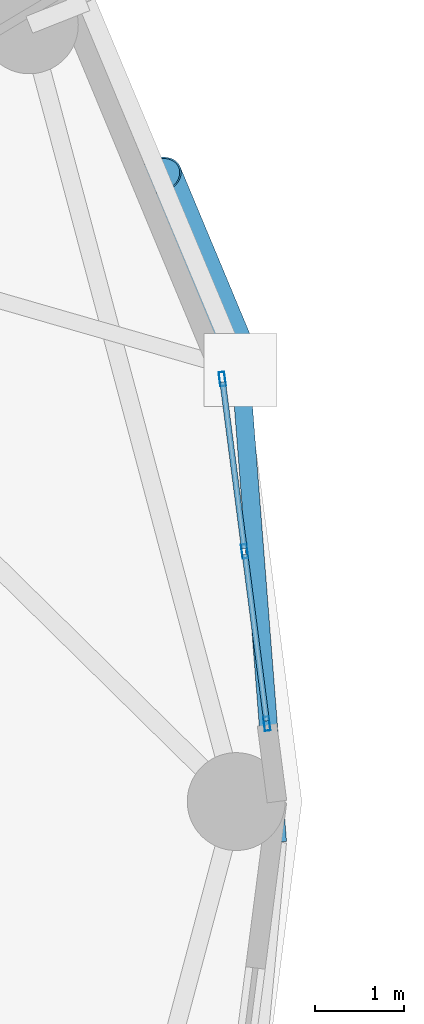
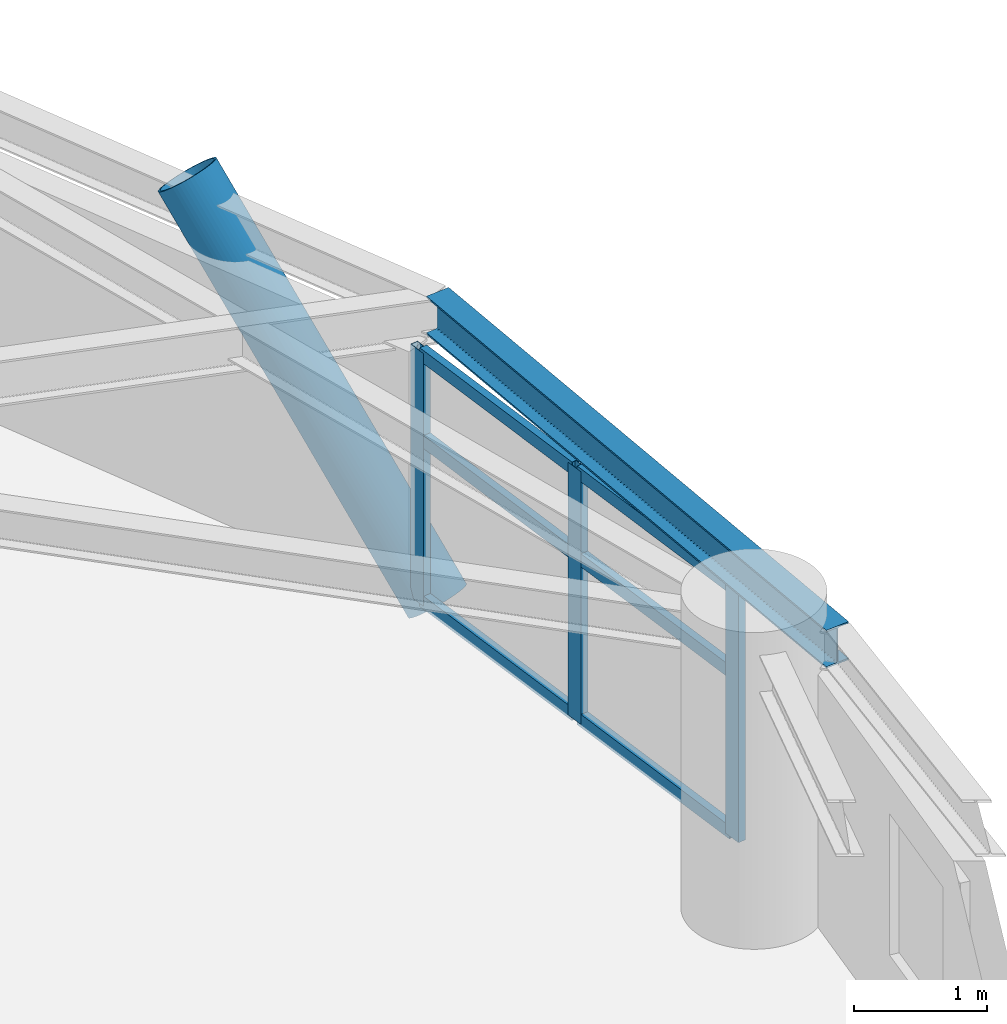
# One storey, part 3 of 14: 10 members, 1 beam, 1 element without a shape of its own.
"""IFC4 building model written with IfcOpenShell, lengths in metres."""

from ifc_helpers import new_model, si_unit, direction, frame, origin, origin_2d, place, context, subcontext, project, spatial, hollow_rectangle, hollow_circle, i_section, extrude, material, layer, layer_set, material_profile, profile_set, type_object, element, aggregate, save


model = new_model("IFC4")

# Units and contexts
model_context = context("Model", 3, precision=1e-05, world=origin(), true_north=direction((0.0, 1.0)))
body_context = subcontext(model_context, "Body", "Model", "MODEL_VIEW")
ifc_project = project(units=[si_unit("LENGTHUNIT", "METRE"), si_unit("AREAUNIT", "SQUARE_METRE"), si_unit("VOLUMEUNIT", "CUBIC_METRE"), si_unit("PLANEANGLEUNIT", "RADIAN"), si_unit("MASSUNIT", "GRAM", prefix="KILO")], contexts=[model_context])

# Site, building, storey
site_placement = place(None, origin())
site = spatial("IfcSite", under=ifc_project, at=site_placement, CompositionType="ELEMENT")
building_placement = place(site_placement, origin())
building = spatial("IfcBuilding", under=site, at=building_placement, Name="Cununo Teusaquillo Station Towers", CompositionType="ELEMENT")
storey_placement = place(building_placement, frame((0.0, 0.0, 202.47998046875)))
storey = spatial("IfcBuildingStorey", under=building, at=storey_placement, Name="L64", CompositionType="ELEMENT", Elevation=202.47998046875)

# Beam
ifc_material_1 = material(Name="Steel ASTM A572 Grade 50", Category="steel")
ifc_material_profile_1 = material_profile(ifc_material_1, i_section(OverallWidth=0.2041015625, OverallDepth=0.35009765625, WebThickness=0.008544921875, FlangeThickness=0.01513671875, FilletRadius=0.011962890625, at=origin_2d()), Name="W14X48")
ifc_profile_set_1 = profile_set([ifc_material_profile_1], Name="Steel ASTM A572 Grade 50")
beam_type = type_object("IfcBeamType", Name="BM-RING-Z4", PredefinedType="SPANDREL", material=ifc_profile_set_1)
beam_placement = place(storey_placement, frame((29.135498046875, 24.044189453125, 2.52490234375), z_axis=(-0.077871988965, 0.996963366095, 0.0), x_axis=(-0.996963366095, -0.077871988965, 0.0)))
element("IfcBeam", 1, at=beam_placement, inside=storey, type_object=beam_type, Name="L64 Tower A Spandrel Ring Beam 01", PredefinedType="SPANDREL", context=body_context, shape_type="SweptSolid", body=[
    extrude(i_section(OverallWidth=0.2041015625, OverallDepth=0.35009765625, WebThickness=0.008544921875, FlangeThickness=0.01513671875, FilletRadius=0.011962890625, at=origin_2d()), origin(), (0.0, 0.0, 1.0), 5.3203125),
])

# Curtain wall, members
ifc_material_2 = material(Name="Ceramic-fritted dark low-E double glazing", Category="glass")
ifc_layer = layer(ifc_material_2, 0.179931640625)
ifc_layer_set = layer_set([ifc_layer], Name="Ceramic-fritted dark low-E double glazing")
curtain_wall_type = type_object("IfcCurtainWallType", Name="CW-SYS-07", PredefinedType="USERDEFINED", material=ifc_layer_set)
curtain_wall_placement = place(storey_placement, origin())
curtain_wall = element("IfcCurtainWall", 2, at=curtain_wall_placement, inside=storey, type_object=curtain_wall_type, Name="L64 Tower A Facade Curtain Wall C00", ObjectType="FRITTED GLAZING", PredefinedType="USERDEFINED")
ifc_material_3 = material(Name="Anodised dark bronze aluminium EN AW-6063-T6", Category="aluminium")
ifc_material_profile_2 = material_profile(ifc_material_3, hollow_rectangle(XDim=0.06494140625, YDim=0.159912109375, WallThickness=0.00390625, at=origin_2d()), Name="CW-MULL-65x160")
ifc_profile_set_2 = profile_set([ifc_material_profile_2], Name="Anodised dark bronze aluminium EN AW-6063-T6")
member_type_1 = type_object("IfcMemberType", Name="CWM-160", PredefinedType="MULLION", material=ifc_profile_set_2)
member_1_placement = place(storey_placement, frame((28.515869140625, 29.248291015625, 0.0), z_axis=(0.0, 0.0, 1.0), x_axis=(0.991741528461, 0.12825264413, 0.0)))
member_1 = element("IfcMember", 3, at=member_1_placement, type_object=member_type_1, Name="CW-07 mullion 1", PredefinedType="MULLION", context=body_context, shape_type="SweptSolid", body=[
    extrude(hollow_rectangle(XDim=0.06494140625, YDim=0.159912109375, WallThickness=0.00390625, at=origin_2d()), origin(), (0.0, 0.0, 1.0), 2.322021484375),
])
member_2_placement = place(storey_placement, frame((28.766357421875, 27.311767578125, 0.0), z_axis=(0.0, 0.0, 1.0), x_axis=(0.991741528461, 0.12825264413, 0.0)))
member_2 = element("IfcMember", 4, at=member_2_placement, type_object=member_type_1, Name="CW-07 mullion 2", PredefinedType="MULLION", context=body_context, shape_type="SweptSolid", body=[
    extrude(hollow_rectangle(XDim=0.06494140625, YDim=0.159912109375, WallThickness=0.00390625, at=origin_2d()), origin(), (0.0, 0.0, 1.0), 2.322021484375),
])
member_3_placement = place(storey_placement, frame((29.016845703125, 25.375244140625, 0.0), z_axis=(0.0, 0.0, 1.0), x_axis=(0.991741528461, 0.12825264413, 0.0)))
member_3 = element("IfcMember", 5, at=member_3_placement, type_object=member_type_1, Name="CW-07 mullion 3", PredefinedType="MULLION", context=body_context, shape_type="SweptSolid", body=[
    extrude(hollow_rectangle(XDim=0.06494140625, YDim=0.159912109375, WallThickness=0.00390625, at=origin_2d()), origin(), (0.0, 0.0, 1.0), 2.322021484375),
])
ifc_material_4 = material(Name="Anodised dark bronze aluminium EN AW-6063-T6", Category="aluminium")
ifc_material_profile_3 = material_profile(ifc_material_4, hollow_rectangle(XDim=0.06494140625, YDim=0.1201171875, WallThickness=0.00390625, at=origin_2d()), Name="CW-TRAN-65x120")
ifc_profile_set_3 = profile_set([ifc_material_profile_3], Name="Anodised dark bronze aluminium EN AW-6063-T6")
member_type_2 = type_object("IfcMemberType", Name="CWT-120", PredefinedType="USERDEFINED", material=ifc_profile_set_3)
member_4_placement = place(storey_placement, frame((28.52001953125, 29.216064453125, 0.032470703125), z_axis=(0.128299630595, -0.99173545101, 0.0), x_axis=(0.99173545101, 0.128299630595, 0.0)))
member_4 = element("IfcMember", 6, at=member_4_placement, type_object=member_type_2, Name="CW-07 transom 1.1", ObjectType="TRANSOM", PredefinedType="USERDEFINED", context=body_context, shape_type="SweptSolid", body=[
    extrude(hollow_rectangle(XDim=0.06494140625, YDim=0.1201171875, WallThickness=0.00390625, at=origin_2d()), origin(), (0.0, 0.0, 1.0), 1.8876953125),
])
member_5_placement = place(storey_placement, frame((28.52001953125, 29.216064453125, 1.509033203125), z_axis=(0.128299630595, -0.99173545101, 0.0), x_axis=(0.99173545101, 0.128299630595, 0.0)))
member_5 = element("IfcMember", 7, at=member_5_placement, type_object=member_type_2, Name="CW-07 transom 1.2", ObjectType="TRANSOM", PredefinedType="USERDEFINED", context=body_context, shape_type="SweptSolid", body=[
    extrude(hollow_rectangle(XDim=0.06494140625, YDim=0.1201171875, WallThickness=0.00390625, at=origin_2d()), origin(), (0.0, 0.0, 1.0), 1.8876953125),
])
member_6_placement = place(storey_placement, frame((28.52001953125, 29.216064453125, 2.28955078125), z_axis=(0.128299630595, -0.99173545101, 0.0), x_axis=(0.99173545101, 0.128299630595, 0.0)))
member_6 = element("IfcMember", 8, at=member_6_placement, type_object=member_type_2, Name="CW-07 transom 1.3", ObjectType="TRANSOM", PredefinedType="USERDEFINED", context=body_context, shape_type="SweptSolid", body=[
    extrude(hollow_rectangle(XDim=0.06494140625, YDim=0.1201171875, WallThickness=0.00390625, at=origin_2d()), origin(), (0.0, 0.0, 1.0), 1.8876953125),
])
member_7_placement = place(storey_placement, frame((28.7705078125, 27.279541015625, 0.032470703125), z_axis=(0.128299630595, -0.99173545101, 0.0), x_axis=(0.99173545101, 0.128299630595, 0.0)))
member_7 = element("IfcMember", 9, at=member_7_placement, type_object=member_type_2, Name="CW-07 transom 2.1", ObjectType="TRANSOM", PredefinedType="USERDEFINED", context=body_context, shape_type="SweptSolid", body=[
    extrude(hollow_rectangle(XDim=0.06494140625, YDim=0.1201171875, WallThickness=0.00390625, at=origin_2d()), origin(), (0.0, 0.0, 1.0), 1.8876953125),
])
member_8_placement = place(storey_placement, frame((28.7705078125, 27.279541015625, 1.509033203125), z_axis=(0.128299630595, -0.99173545101, 0.0), x_axis=(0.99173545101, 0.128299630595, 0.0)))
member_8 = element("IfcMember", 10, at=member_8_placement, type_object=member_type_2, Name="CW-07 transom 2.2", ObjectType="TRANSOM", PredefinedType="USERDEFINED", context=body_context, shape_type="SweptSolid", body=[
    extrude(hollow_rectangle(XDim=0.06494140625, YDim=0.1201171875, WallThickness=0.00390625, at=origin_2d()), origin(), (0.0, 0.0, 1.0), 1.8876953125),
])
member_9_placement = place(storey_placement, frame((28.7705078125, 27.279541015625, 2.28955078125), z_axis=(0.128299630595, -0.99173545101, 0.0), x_axis=(0.99173545101, 0.128299630595, 0.0)))
member_9 = element("IfcMember", 11, at=member_9_placement, type_object=member_type_2, Name="CW-07 transom 2.3", ObjectType="TRANSOM", PredefinedType="USERDEFINED", context=body_context, shape_type="SweptSolid", body=[
    extrude(hollow_rectangle(XDim=0.06494140625, YDim=0.1201171875, WallThickness=0.00390625, at=origin_2d()), origin(), (0.0, 0.0, 1.0), 1.8876953125),
])
aggregate(curtain_wall, [member_1, member_2, member_3, member_4, member_5, member_6, member_7, member_8, member_9])

# Member
ifc_material_5 = material(Name="Steel EN 10025-2 S355J2", Category="steel")
ifc_material_profile_4 = material_profile(ifc_material_5, hollow_circle(Radius=0.25390625, WallThickness=0.01806640625, at=origin_2d()), Name="CHS 508x18")
ifc_profile_set_4 = profile_set([ifc_material_profile_4], Name="Steel EN 10025-2 S355J2")
member_type_3 = type_object("IfcMemberType", Name="MBR-DIAG-Z4", PredefinedType="BRACE", material=ifc_profile_set_4)
member_10_placement = place(storey_placement, frame((28.72119140625, 29.348388671875, -0.139892578125), z_axis=(-0.243178360097, 0.58276932845, 0.77539937774), x_axis=(-0.922875628603, -0.385098135713, 0.0)))
element("IfcMember", 12, at=member_10_placement, inside=storey, type_object=member_type_3, Name="L64 Tower A Folded-Zigzag Diagrid Tube C01", PredefinedType="BRACE", context=body_context, shape_type="SweptSolid", body=[
    extrude(hollow_circle(Radius=0.25390625, WallThickness=0.01806640625, at=origin_2d()), origin(), (0.0, 0.0, 1.0), 3.752685546875),
])

save(model, "model.ifc")
